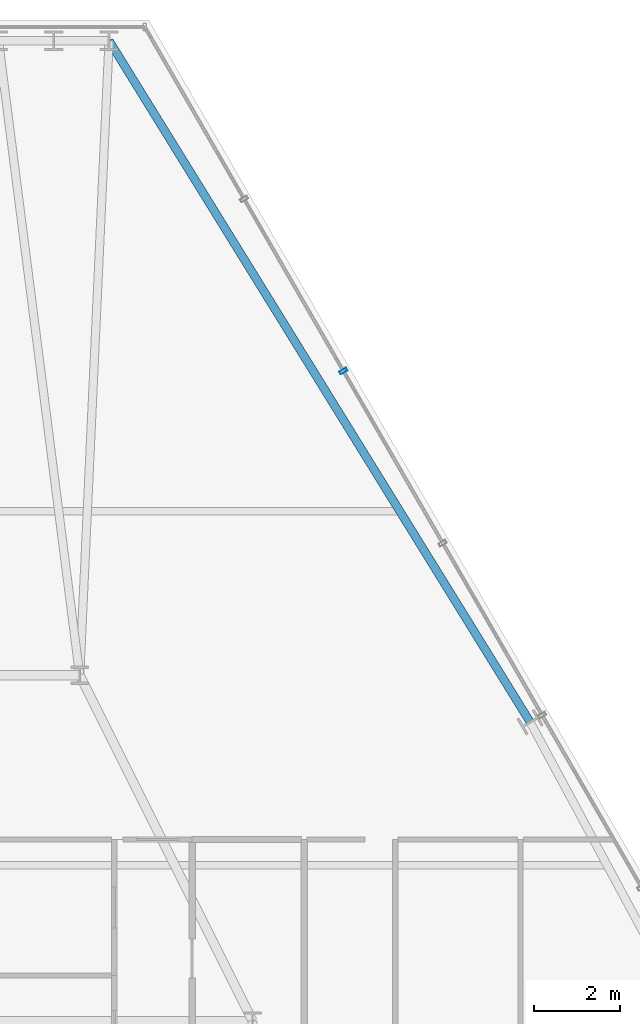
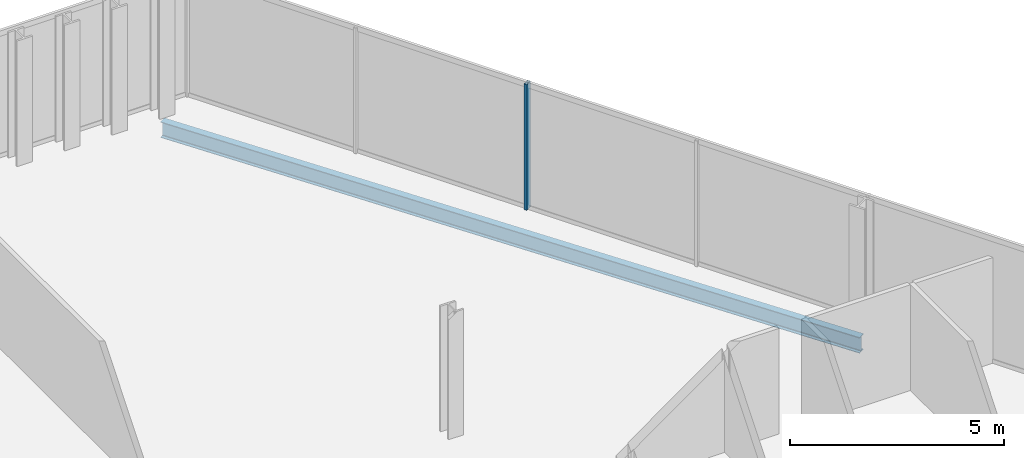
# One storey, part 25 of 33: 1 beam, 1 member, 1 element without a shape of its own.
"""IFC4 building model written with IfcOpenShell, lengths in metres."""

from ifc_helpers import new_model, si_unit, direction, frame, origin, origin_2d, place, context, subcontext, project, spatial, hollow_rectangle, i_section, extrude, material, layer, layer_set, material_profile, profile_set, type_object, element, aggregate, save


model = new_model("IFC4")

# Units and contexts
model_context = context("Model", 3, precision=1e-05, world=origin(), true_north=direction((0.0, 1.0)))
body_context = subcontext(model_context, "Body", "Model", "MODEL_VIEW")
ifc_project = project(units=[si_unit("LENGTHUNIT", "METRE"), si_unit("AREAUNIT", "SQUARE_METRE"), si_unit("VOLUMEUNIT", "CUBIC_METRE"), si_unit("PLANEANGLEUNIT", "RADIAN"), si_unit("MASSUNIT", "GRAM", prefix="KILO")], contexts=[model_context])

# Site, building, storey
site_placement = place(None, origin())
site = spatial("IfcSite", under=ifc_project, at=site_placement, CompositionType="ELEMENT")
building_placement = place(site_placement, origin())
building = spatial("IfcBuilding", under=site, at=building_placement, Name="Ndaravel Arena Tower", CompositionType="ELEMENT")
storey_placement = place(building_placement, frame((0.0, 0.0, 165.0)))
storey = spatial("IfcBuildingStorey", under=building, at=storey_placement, Name="L39", CompositionType="ELEMENT", Elevation=165.0)

# Beam
ifc_material_1 = material(Name="Steel S355", Category="steel")
ifc_material_profile_1 = material_profile(ifc_material_1, i_section(OverallWidth=0.18994140625, OverallDepth=0.449951171875, WebThickness=0.009521484375, FlangeThickness=0.0146484375, FilletRadius=0.02099609375, at=origin_2d()), Name="IPE 450")
ifc_profile_set_1 = profile_set([ifc_material_profile_1], Name="Steel S355")
beam_type = type_object("IfcBeamType", Name="BM-SPAN-IPE450", PredefinedType="SPANDREL", material=ifc_profile_set_1)
beam_placement = place(storey_placement, frame((56.22314453125, 30.114990234375, -0.445068359375), z_axis=(-0.525677399695, 0.850684002112, 0.0), x_axis=(-0.850684002112, -0.525677399695, 0.0)))
element("IfcBeam", 1, at=beam_placement, inside=storey, type_object=beam_type, Name="L39 Perimeter Spandrel Beam SP-10", PredefinedType="SPANDREL", context=body_context, shape_type="SweptSolid", body=[
    extrude(i_section(OverallWidth=0.18994140625, OverallDepth=0.449951171875, WebThickness=0.009521484375, FlangeThickness=0.0146484375, FilletRadius=0.02099609375, at=origin_2d()), origin(), (0.0, 0.0, 1.0), 18.533935546875),
])

# Curtain wall, member
ifc_material_2 = material(Name="Aluminium", Category="aluminium")
ifc_layer = layer(ifc_material_2, 0.179931640625)
ifc_layer_set = layer_set([ifc_layer], Name="Aluminium")
curtain_wall_type = type_object("IfcCurtainWallType", Name="CW-SYS-03", PredefinedType="NOTDEFINED", material=ifc_layer_set)
curtain_wall_placement = place(storey_placement, origin())
curtain_wall = element("IfcCurtainWall", 2, at=curtain_wall_placement, inside=storey, type_object=curtain_wall_type, Name="L39 Faceted Crystal Curtain Wall CW-L39-E03", PredefinedType="NOTDEFINED")
ifc_material_3 = material(Name="Aluminium", Category="aluminium")
ifc_material_profile_2 = material_profile(ifc_material_3, hollow_rectangle(XDim=0.074951171875, YDim=0.179931640625, WallThickness=0.00390625, at=origin_2d()), Name="CW MULLION 75x180x4")
ifc_profile_set_2 = profile_set([ifc_material_profile_2], Name="Aluminium")
member_type = type_object("IfcMemberType", Name="MEM-CW-MUL180", PredefinedType="MULLION", material=ifc_profile_set_2)
member_placement = place(storey_placement, frame((51.902587890625, 38.23828125, 0.0), z_axis=(0.0, 0.0, 1.0), x_axis=(-0.5, 0.866025403784, 0.0)))
member = element("IfcMember", 3, at=member_placement, type_object=member_type, Name="CW-L39-E03 Mullion 06", PredefinedType="MULLION", context=body_context, shape_type="SweptSolid", body=[
    extrude(hollow_rectangle(XDim=0.074951171875, YDim=0.179931640625, WallThickness=0.00390625, at=origin_2d()), origin(), (0.0, 0.0, 1.0), 3.580078125),
])
aggregate(curtain_wall, [member])

save(model, "model.ifc")
